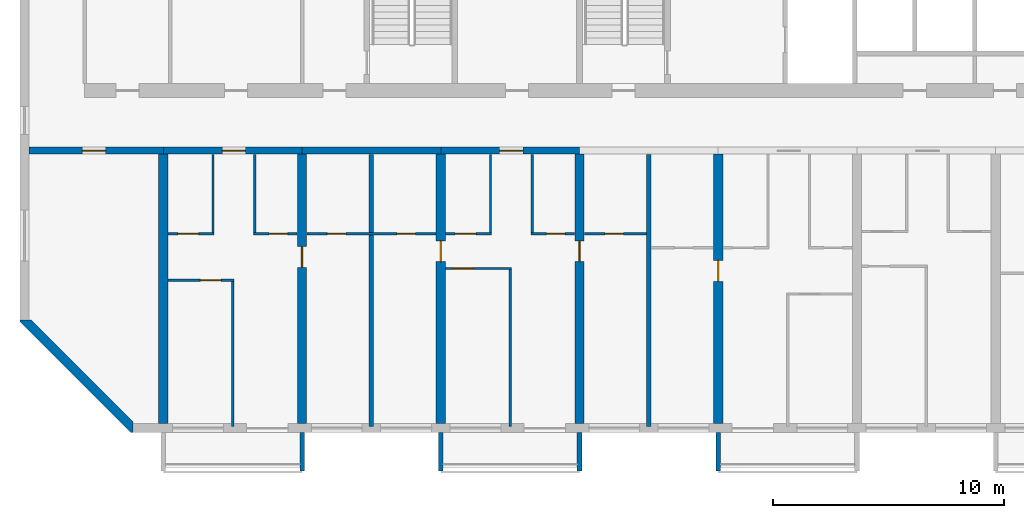
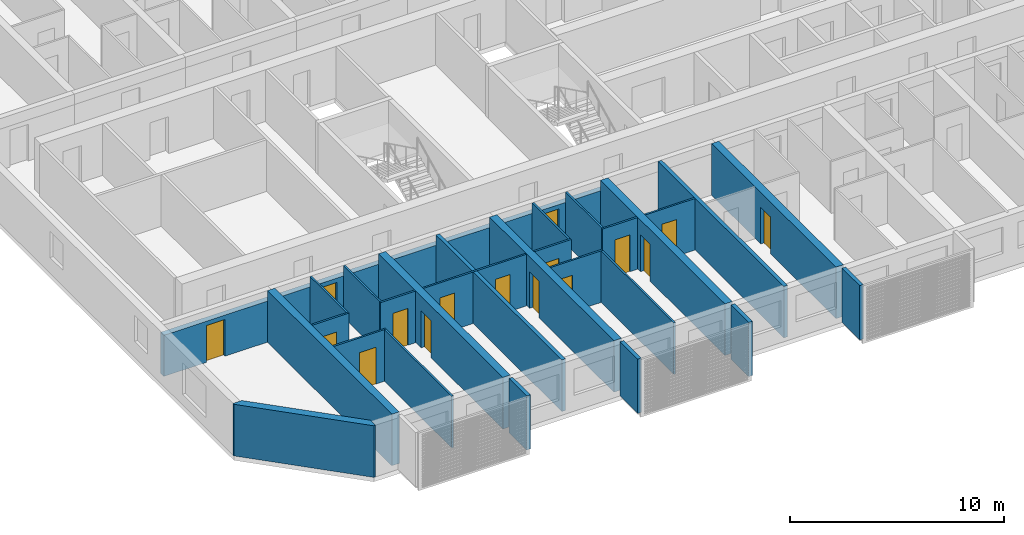
# One storey, part 2 of 39: 30 walls, 16 doors, 16 openings.
"""IFC4 building model written with IfcOpenShell, lengths in metres."""

from ifc_helpers import new_model, si_unit, direction, frame, frame_2d, origin, place, context, subcontext, project, spatial, polyline, rectangle, outline, extrude, source, transform, mapped, material, layer, layer_set, type_object, element, fill, save


model = new_model("IFC4")

# Units and contexts
model_context = context("Model", 3, precision=1e-05, world=origin(), true_north=direction((0.0, 1.0)))
body_context = subcontext(model_context, "Body", "Model", "MODEL_VIEW")
ifc_project = project(units=[si_unit("LENGTHUNIT", "METRE"), si_unit("AREAUNIT", "SQUARE_METRE"), si_unit("VOLUMEUNIT", "CUBIC_METRE"), si_unit("PLANEANGLEUNIT", "RADIAN"), si_unit("MASSUNIT", "GRAM", prefix="KILO")], contexts=[model_context])

# Site, building, storey
site_placement = place(None, origin())
site = spatial("IfcSite", under=ifc_project, at=site_placement, CompositionType="ELEMENT")
building_placement = place(site_placement, origin())
building = spatial("IfcBuilding", under=site, at=building_placement, Name="Poui Terraces", CompositionType="ELEMENT")
storey_placement = place(building_placement, frame((0.0, 0.0, 63.0)))
storey = spatial("IfcBuildingStorey", under=building, at=storey_placement, Name="L17", CompositionType="ELEMENT", Elevation=63.0)

# Wall, opening, door
ifc_material_1 = material(Name="Concrete 80 MPa", Category="concrete")
ifc_layer_1 = layer(ifc_material_1, 0.300048828125)
ifc_layer_set_1 = layer_set([ifc_layer_1], Name="Concrete 80 MPa")
wall_type_1 = type_object("IfcWallType", Name="CORRIDOR WALL 300 80MPa", PredefinedType="SHEAR", material=ifc_layer_set_1)
wall_1_placement = place(storey_placement, frame((6.199951171875, 12.0, 0.0), z_axis=(0.0, 0.0, 1.0), x_axis=(1.0, 0.0, 0.0)))
wall_1 = element("IfcWall", 1, at=wall_1_placement, inside=storey, type_object=wall_type_1, Name="CORRIDOR WALL LINE B BAY 1", PredefinedType="SHEAR", context=body_context, shape_type="SweptSolid", body=[
    extrude(rectangle(XDim=5.800048828125, YDim=0.300048828125, at=frame_2d((2.89990234375, 0.0))), origin(), (0.0, 0.0, 1.0), 2.35009765625),
])
opening_1_placement = place(wall_1_placement, frame((2.300048828125, 0.0, 0.0)))
opening_1 = element("IfcOpeningElement", 2, at=opening_1_placement, cuts=wall_1, Name="Opening D100", PredefinedType="OPENING", context=body_context, shape_type="SweptSolid", body=[
    extrude(rectangle(XDim=1.0, YDim=2.10009765625, at=frame_2d((0.5, 1.050048828125))), frame((0.0, 0.16015625, 0.0), z_axis=(0.0, -1.0, 0.0), x_axis=(1.0, 0.0, 0.0)), (0.0, 0.0, 1.0), 0.320068359375),
])
ifc_material_2 = material(Name="Solid core timber door", Category="wood")
door_type_1 = type_object("IfcDoorType", Name="ACCESSIBLE INTERNAL DOOR 1000 X 2100", OperationType="NOTDEFINED", PredefinedType="DOOR", material=ifc_material_2)
door_1_placement = place(opening_1_placement, frame((1.0, 0.0, 0.0), z_axis=(0.0, 0.0, 1.0), x_axis=(-1.0, 0.0, 0.0)))
door_1 = element("IfcDoor", 3, at=door_1_placement, inside=storey, type_object=door_type_1, Name="ACCESSIBLE INTERNAL DOOR 084", OperationType="SINGLE_SWING_RIGHT", OverallHeight=2.10009765625, OverallWidth=1.0, PredefinedType="DOOR", context=body_context, shape_type="SweptSolid", body=[
    extrude(rectangle(XDim=1.0, YDim=2.10009765625, at=frame_2d((0.5, 1.050048828125))), frame((0.0, 0.02490234375, 0.0), z_axis=(0.0, -1.0, 0.0), x_axis=(1.0, 0.0, 0.0)), (0.0, 0.0, 1.0), 0.050048828125),
])
fill(opening_1, door_1)

wall_2_placement = place(storey_placement, frame((12.0, 12.0, 0.0), z_axis=(0.0, 0.0, 1.0), x_axis=(1.0, 0.0, 0.0)))
wall_2 = element("IfcWall", 4, at=wall_2_placement, inside=storey, type_object=wall_type_1, Name="CORRIDOR WALL LINE B BAY 2", PredefinedType="SHEAR", context=body_context, shape_type="SweptSolid", body=[
    extrude(rectangle(XDim=6.0, YDim=0.300048828125, at=frame_2d((3.0, 0.0))), origin(), (0.0, 0.0, 1.0), 2.35009765625),
])
opening_2_placement = place(wall_2_placement, frame((2.550048828125, 0.0, 0.0)))
opening_2 = element("IfcOpeningElement", 5, at=opening_2_placement, cuts=wall_2, Name="Opening FD30S", PredefinedType="OPENING", context=body_context, shape_type="SweptSolid", body=[
    extrude(rectangle(XDim=1.0, YDim=2.10009765625, at=frame_2d((0.5, 1.050048828125))), frame((0.0, 0.16015625, 0.0), z_axis=(0.0, -1.0, 0.0), x_axis=(1.0, 0.0, 0.0)), (0.0, 0.0, 1.0), 0.320068359375),
])
ifc_material_3 = material(Name="Steel fire door", Category="steel")
door_type_2 = type_object("IfcDoorType", Name="FLAT ENTRANCE DOOR 1000 X 2100", OperationType="NOTDEFINED", PredefinedType="DOOR", material=ifc_material_3)
door_2_placement = place(opening_2_placement, frame((1.0, 0.0, 0.0), z_axis=(0.0, 0.0, 1.0), x_axis=(-1.0, 0.0, 0.0)))
door_2 = element("IfcDoor", 6, at=door_2_placement, inside=storey, type_object=door_type_2, Name="FLAT ENTRANCE DOOR 088", OperationType="SINGLE_SWING_LEFT", OverallHeight=2.10009765625, OverallWidth=1.0, PredefinedType="DOOR", context=body_context, shape_type="SweptSolid", body=[
    extrude(rectangle(XDim=1.0, YDim=2.10009765625, at=frame_2d((0.5, 1.050048828125))), frame((0.0, 0.02490234375, 0.0), z_axis=(0.0, -1.0, 0.0), x_axis=(1.0, 0.0, 0.0)), (0.0, 0.0, 1.0), 0.050048828125),
])
fill(opening_2, door_2)

# Wall
wall_3_placement = place(storey_placement, frame((18.0, 12.0, 0.0), z_axis=(0.0, 0.0, 1.0), x_axis=(1.0, 0.0, 0.0)))
element("IfcWall", 7, at=wall_3_placement, inside=storey, type_object=wall_type_1, Name="CORRIDOR WALL LINE B BAY 3", PredefinedType="SHEAR", context=body_context, shape_type="SweptSolid", body=[
    extrude(rectangle(XDim=6.0, YDim=0.300048828125, at=frame_2d((3.0, 0.0))), origin(), (0.0, 0.0, 1.0), 2.35009765625),
])

# Wall, opening, door
wall_4_placement = place(storey_placement, frame((24.0, 12.0, 0.0), z_axis=(0.0, 0.0, 1.0), x_axis=(1.0, 0.0, 0.0)))
wall_4 = element("IfcWall", 8, at=wall_4_placement, inside=storey, type_object=wall_type_1, Name="CORRIDOR WALL LINE B BAY 4", PredefinedType="SHEAR", context=body_context, shape_type="SweptSolid", body=[
    extrude(rectangle(XDim=6.0, YDim=0.300048828125, at=frame_2d((3.0, 0.0))), origin(), (0.0, 0.0, 1.0), 2.35009765625),
])
opening_3_placement = place(wall_4_placement, frame((2.550048828125, 0.0, 0.0)))
opening_3 = element("IfcOpeningElement", 9, at=opening_3_placement, cuts=wall_4, Name="Opening FD30S", PredefinedType="OPENING", context=body_context, shape_type="SweptSolid", body=[
    extrude(rectangle(XDim=1.0, YDim=2.10009765625, at=frame_2d((0.5, 1.050048828125))), frame((0.0, 0.16015625, 0.0), z_axis=(0.0, -1.0, 0.0), x_axis=(1.0, 0.0, 0.0)), (0.0, 0.0, 1.0), 0.320068359375),
])
door_3_placement = place(opening_3_placement, frame((1.0, 0.0, 0.0), z_axis=(0.0, 0.0, 1.0), x_axis=(-1.0, 0.0, 0.0)))
door_3 = element("IfcDoor", 10, at=door_3_placement, inside=storey, type_object=door_type_2, Name="FLAT ENTRANCE DOOR 096", OperationType="SINGLE_SWING_LEFT", OverallHeight=2.10009765625, OverallWidth=1.0, PredefinedType="DOOR", context=body_context, shape_type="SweptSolid", body=[
    extrude(rectangle(XDim=1.0, YDim=2.10009765625, at=frame_2d((0.5, 1.050048828125))), frame((0.0, 0.02490234375, 0.0), z_axis=(0.0, -1.0, 0.0), x_axis=(1.0, 0.0, 0.0)), (0.0, 0.0, 1.0), 0.050048828125),
])
fill(opening_3, door_3)

# Wall
ifc_layer_2 = layer(ifc_material_1, 0.39990234375)
ifc_layer_set_2 = layer_set([ifc_layer_2], Name="Concrete 80 MPa")
wall_type_2 = type_object("IfcWallType", Name="CROSS WALL 400 80MPa", PredefinedType="SHEAR", material=ifc_layer_set_2)
wall_5_placement = place(storey_placement, frame((12.0, 0.199951171875, 0.0), z_axis=(0.0, 0.0, 1.0), x_axis=(0.0, 1.0, 0.0)))
element("IfcWall", 11, at=wall_5_placement, inside=storey, type_object=wall_type_2, Name="CROSS WALL LINE 3 SOUTH", PredefinedType="SHEAR", context=body_context, shape_type="SweptSolid", body=[
    extrude(rectangle(XDim=11.650146484375, YDim=0.39990234375, at=frame_2d((5.8251953125, 0.0))), origin(), (0.0, 0.0, 1.0), 2.949951171875),
])

# Wall, opening, door
wall_6_placement = place(storey_placement, frame((18.0, 0.199951171875, 0.0), z_axis=(0.0, 0.0, 1.0), x_axis=(0.0, 1.0, 0.0)))
wall_6 = element("IfcWall", 12, at=wall_6_placement, inside=storey, type_object=wall_type_2, Name="CROSS WALL LINE 4 SOUTH", PredefinedType="SHEAR", context=body_context, shape_type="SweptSolid", body=[
    extrude(rectangle(XDim=11.650146484375, YDim=0.39990234375, at=frame_2d((5.8251953125, 0.0))), origin(), (0.0, 0.0, 1.0), 2.949951171875),
])
opening_4_placement = place(wall_6_placement, frame((6.75, 0.0, 0.0)))
opening_4 = element("IfcOpeningElement", 13, at=opening_4_placement, cuts=wall_6, Name="Opening D90", PredefinedType="OPENING", context=body_context, shape_type="SweptSolid", body=[
    extrude(rectangle(XDim=0.89990234375, YDim=2.10009765625, at=frame_2d((0.449951171875, 1.050048828125))), frame((0.0, 0.2099609375, 0.0), z_axis=(0.0, -1.0, 0.0), x_axis=(1.0, 0.0, 0.0)), (0.0, 0.0, 1.0), 0.419921875),
])
door_type_3 = type_object("IfcDoorType", Name="INTERNAL DOOR 900 X 2100", OperationType="NOTDEFINED", PredefinedType="DOOR", material=ifc_material_2)
door_4_placement = place(opening_4_placement, frame((0.89990234375, 0.0, 0.0), z_axis=(0.0, 0.0, 1.0), x_axis=(-1.0, 0.0, 0.0)))
door_4 = element("IfcDoor", 14, at=door_4_placement, inside=storey, type_object=door_type_3, Name="INTERNAL DOOR 090", OperationType="SINGLE_SWING_LEFT", OverallHeight=2.10009765625, OverallWidth=0.89990234375, PredefinedType="DOOR", context=body_context, shape_type="SweptSolid", body=[
    extrude(rectangle(XDim=0.89990234375, YDim=2.10009765625, at=frame_2d((0.449951171875, 1.050048828125))), frame((0.0, 0.02490234375, 0.0), z_axis=(0.0, -1.0, 0.0), x_axis=(1.0, 0.0, 0.0)), (0.0, 0.0, 1.0), 0.050048828125),
])
fill(opening_4, door_4)

wall_7_placement = place(storey_placement, frame((24.0, 0.199951171875, 0.0), z_axis=(0.0, 0.0, 1.0), x_axis=(0.0, 1.0, 0.0)))
wall_7 = element("IfcWall", 15, at=wall_7_placement, inside=storey, type_object=wall_type_2, Name="CROSS WALL LINE 5 SOUTH", PredefinedType="SHEAR", context=body_context, shape_type="SweptSolid", body=[
    extrude(rectangle(XDim=11.650146484375, YDim=0.39990234375, at=frame_2d((5.8251953125, 0.0))), origin(), (0.0, 0.0, 1.0), 2.949951171875),
])
opening_5_placement = place(wall_7_placement, frame((7.0, 0.0, 0.0)))
opening_5 = element("IfcOpeningElement", 16, at=opening_5_placement, cuts=wall_7, Name="Opening D90", PredefinedType="OPENING", context=body_context, shape_type="SweptSolid", body=[
    extrude(rectangle(XDim=0.89990234375, YDim=2.10009765625, at=frame_2d((0.449951171875, 1.050048828125))), frame((0.0, 0.2099609375, 0.0), z_axis=(0.0, -1.0, 0.0), x_axis=(1.0, 0.0, 0.0)), (0.0, 0.0, 1.0), 0.419921875),
])
door_5_placement = place(opening_5_placement, origin())
door_5 = element("IfcDoor", 17, at=door_5_placement, inside=storey, type_object=door_type_3, Name="INTERNAL DOOR 093", OperationType="SINGLE_SWING_RIGHT", OverallHeight=2.10009765625, OverallWidth=0.89990234375, PredefinedType="DOOR", context=body_context, shape_type="SweptSolid", body=[
    extrude(rectangle(XDim=0.89990234375, YDim=2.10009765625, at=frame_2d((0.449951171875, 1.050048828125))), frame((0.0, 0.02490234375, 0.0), z_axis=(0.0, -1.0, 0.0), x_axis=(1.0, 0.0, 0.0)), (0.0, 0.0, 1.0), 0.050048828125),
])
fill(opening_5, door_5)

wall_8_placement = place(storey_placement, frame((30.0, 0.199951171875, 0.0), z_axis=(0.0, 0.0, 1.0), x_axis=(0.0, 1.0, 0.0)))
wall_8 = element("IfcWall", 18, at=wall_8_placement, inside=storey, type_object=wall_type_2, Name="CROSS WALL LINE 6 SOUTH", PredefinedType="SHEAR", context=body_context, shape_type="SweptSolid", body=[
    extrude(rectangle(XDim=11.650146484375, YDim=0.39990234375, at=frame_2d((5.8251953125, 0.0))), origin(), (0.0, 0.0, 1.0), 2.949951171875),
])
opening_6_placement = place(wall_8_placement, frame((7.0, 0.0, 0.0)))
opening_6 = element("IfcOpeningElement", 19, at=opening_6_placement, cuts=wall_8, Name="Opening D90", PredefinedType="OPENING", context=body_context, shape_type="SweptSolid", body=[
    extrude(rectangle(XDim=0.89990234375, YDim=2.10009765625, at=frame_2d((0.449951171875, 1.050048828125))), frame((0.0, 0.2099609375, 0.0), z_axis=(0.0, -1.0, 0.0), x_axis=(1.0, 0.0, 0.0)), (0.0, 0.0, 1.0), 0.419921875),
])
door_6_placement = place(opening_6_placement, frame((0.89990234375, 0.0, 0.0), z_axis=(0.0, 0.0, 1.0), x_axis=(-1.0, 0.0, 0.0)))
door_6 = element("IfcDoor", 20, at=door_6_placement, inside=storey, type_object=door_type_3, Name="INTERNAL DOOR 098", OperationType="SINGLE_SWING_LEFT", OverallHeight=2.10009765625, OverallWidth=0.89990234375, PredefinedType="DOOR", context=body_context, shape_type="SweptSolid", body=[
    extrude(rectangle(XDim=0.89990234375, YDim=2.10009765625, at=frame_2d((0.449951171875, 1.050048828125))), frame((0.0, 0.02490234375, 0.0), z_axis=(0.0, -1.0, 0.0), x_axis=(1.0, 0.0, 0.0)), (0.0, 0.0, 1.0), 0.050048828125),
])
fill(opening_6, door_6)

wall_9_placement = place(storey_placement, frame((36.0, 0.199951171875, 0.0), z_axis=(0.0, 0.0, 1.0), x_axis=(0.0, 1.0, 0.0)))
wall_9 = element("IfcWall", 21, at=wall_9_placement, inside=storey, type_object=wall_type_2, Name="CROSS WALL LINE 7 SOUTH", PredefinedType="SHEAR", context=body_context, shape_type="SweptSolid", body=[
    extrude(rectangle(XDim=11.650146484375, YDim=0.39990234375, at=frame_2d((5.8251953125, 0.0))), origin(), (0.0, 0.0, 1.0), 2.949951171875),
])
opening_7_placement = place(wall_9_placement, frame((6.14990234375, 0.0, 0.0)))
opening_7 = element("IfcOpeningElement", 22, at=opening_7_placement, cuts=wall_9, Name="Opening D90", PredefinedType="OPENING", context=body_context, shape_type="SweptSolid", body=[
    extrude(rectangle(XDim=0.89990234375, YDim=2.10009765625, at=frame_2d((0.449951171875, 1.050048828125))), frame((0.0, 0.2099609375, 0.0), z_axis=(0.0, -1.0, 0.0), x_axis=(1.0, 0.0, 0.0)), (0.0, 0.0, 1.0), 0.419921875),
])
door_7_placement = place(opening_7_placement, origin())
door_7 = element("IfcDoor", 23, at=door_7_placement, inside=storey, type_object=door_type_3, Name="INTERNAL DOOR 100", OperationType="SINGLE_SWING_RIGHT", OverallHeight=2.10009765625, OverallWidth=0.89990234375, PredefinedType="DOOR", context=body_context, shape_type="SweptSolid", body=[
    extrude(rectangle(XDim=0.89990234375, YDim=2.10009765625, at=frame_2d((0.449951171875, 1.050048828125))), frame((0.0, 0.02490234375, 0.0), z_axis=(0.0, -1.0, 0.0), x_axis=(1.0, 0.0, 0.0)), (0.0, 0.0, 1.0), 0.050048828125),
])
fill(opening_7, door_7)

ifc_material_4 = material(Name="Plasterboard partition")
ifc_layer_3 = layer(ifc_material_4, 0.10009765625)
ifc_layer_set_3 = layer_set([ifc_layer_3], Name="Plasterboard partition")
wall_type_3 = type_object("IfcWallType", Name="FLAT PARTITION 100", PredefinedType="PARTITIONING", material=ifc_layer_set_3)
wall_10_placement = place(storey_placement, frame((12.2099609375, 6.39990234375, 0.0), z_axis=(0.0, 0.0, 1.0), x_axis=(1.0, 0.0, 0.0)))
wall_10 = element("IfcWall", 24, at=wall_10_placement, inside=storey, type_object=wall_type_3, Name="FLAT PARTITION 100", PredefinedType="PARTITIONING", context=body_context, shape_type="SweptSolid", body=[
    extrude(rectangle(XDim=2.840087890625, YDim=0.10009765625, at=frame_2d((1.419921875, 0.0))), origin(), (0.0, 0.0, 1.0), 2.949951171875),
])
opening_8_placement = place(wall_10_placement, frame((1.389892578125, 0.0, 0.0)))
opening_8 = element("IfcOpeningElement", 25, at=opening_8_placement, cuts=wall_10, Name="Opening D90", PredefinedType="OPENING", context=body_context, shape_type="SweptSolid", body=[
    extrude(rectangle(XDim=0.89990234375, YDim=2.10009765625, at=frame_2d((0.449951171875, 1.050048828125))), frame((0.0, 0.06005859375, 0.0), z_axis=(0.0, -1.0, 0.0), x_axis=(1.0, 0.0, 0.0)), (0.0, 0.0, 1.0), 0.1201171875),
])
door_8_placement = place(opening_8_placement, origin())
door_8 = element("IfcDoor", 26, at=door_8_placement, inside=storey, type_object=door_type_3, Name="INTERNAL DOOR 087", OperationType="SINGLE_SWING_LEFT", OverallHeight=2.10009765625, OverallWidth=0.89990234375, PredefinedType="DOOR", context=body_context, shape_type="SweptSolid", body=[
    extrude(rectangle(XDim=0.89990234375, YDim=2.10009765625, at=frame_2d((0.449951171875, 1.050048828125))), frame((0.0, 0.02490234375, 0.0), z_axis=(0.0, -1.0, 0.0), x_axis=(1.0, 0.0, 0.0)), (0.0, 0.0, 1.0), 0.050048828125),
])
fill(opening_8, door_8)

wall_11_placement = place(storey_placement, frame((24.2099609375, 6.89990234375, 0.0), z_axis=(0.0, 0.0, 1.0), x_axis=(1.0, 0.0, 0.0)))
wall_11 = element("IfcWall", 27, at=wall_11_placement, inside=storey, type_object=wall_type_3, Name="FLAT PARTITION 100", PredefinedType="PARTITIONING", context=body_context, shape_type="SweptSolid", body=[
    extrude(rectangle(XDim=2.840087890625, YDim=0.10009765625, at=frame_2d((1.419921875, 0.0))), origin(), (0.0, 0.0, 1.0), 2.949951171875),
])
opening_9_placement = place(wall_11_placement, frame((0.2900390625, 0.0, 0.0)))
opening_9 = element("IfcOpeningElement", 28, at=opening_9_placement, cuts=wall_11, Name="Opening D90", PredefinedType="OPENING", context=body_context, shape_type="SweptSolid", body=[
    extrude(rectangle(XDim=0.89990234375, YDim=2.10009765625, at=frame_2d((0.449951171875, 1.050048828125))), frame((0.0, 0.06005859375, 0.0), z_axis=(0.0, -1.0, 0.0), x_axis=(1.0, 0.0, 0.0)), (0.0, 0.0, 1.0), 0.1201171875),
])
door_9_placement = place(opening_9_placement, origin())
door_9 = element("IfcDoor", 29, at=door_9_placement, inside=storey, type_object=door_type_3, Name="INTERNAL DOOR 094", OperationType="SINGLE_SWING_RIGHT", OverallHeight=2.10009765625, OverallWidth=0.89990234375, PredefinedType="DOOR", context=body_context, shape_type="SweptSolid", body=[
    extrude(rectangle(XDim=0.89990234375, YDim=2.10009765625, at=frame_2d((0.449951171875, 1.050048828125))), frame((0.0, 0.02490234375, 0.0), z_axis=(0.0, -1.0, 0.0), x_axis=(1.0, 0.0, 0.0)), (0.0, 0.0, 1.0), 0.050048828125),
])
fill(opening_9, door_9)

wall_12_placement = place(storey_placement, frame((12.2099609375, 8.39990234375, 0.0), z_axis=(0.0, 0.0, 1.0), x_axis=(1.0, 0.0, 0.0)))
wall_12 = element("IfcWall", 30, at=wall_12_placement, inside=storey, type_object=wall_type_3, Name="FLAT PARTITION 100", PredefinedType="PARTITIONING", context=body_context, shape_type="SweptSolid", body=[
    extrude(rectangle(XDim=1.989990234375, YDim=0.10009765625, at=frame_2d((0.9951171875, 0.0))), origin(), (0.0, 0.0, 1.0), 2.949951171875),
])
opening_10_placement = place(wall_12_placement, frame((0.4150390625, 0.0, 0.0)))
opening_10 = element("IfcOpeningElement", 31, at=opening_10_placement, cuts=wall_12, Name="Opening D90", PredefinedType="OPENING", context=body_context, shape_type="SweptSolid", body=[
    extrude(rectangle(XDim=0.89990234375, YDim=2.10009765625, at=frame_2d((0.449951171875, 1.050048828125))), frame((0.0, 0.06005859375, 0.0), z_axis=(0.0, -1.0, 0.0), x_axis=(1.0, 0.0, 0.0)), (0.0, 0.0, 1.0), 0.1201171875),
])
door_10_placement = place(opening_10_placement, origin())
door_10 = element("IfcDoor", 32, at=door_10_placement, inside=storey, type_object=door_type_3, Name="INTERNAL DOOR 086", OperationType="SINGLE_SWING_RIGHT", OverallHeight=2.10009765625, OverallWidth=0.89990234375, PredefinedType="DOOR", context=body_context, shape_type="SweptSolid", body=[
    extrude(rectangle(XDim=0.89990234375, YDim=2.10009765625, at=frame_2d((0.449951171875, 1.050048828125))), frame((0.0, 0.02490234375, 0.0), z_axis=(0.0, -1.0, 0.0), x_axis=(1.0, 0.0, 0.0)), (0.0, 0.0, 1.0), 0.050048828125),
])
fill(opening_10, door_10)

wall_13_placement = place(storey_placement, frame((15.89990234375, 8.39990234375, 0.0), z_axis=(0.0, 0.0, 1.0), x_axis=(1.0, 0.0, 0.0)))
wall_13 = element("IfcWall", 33, at=wall_13_placement, inside=storey, type_object=wall_type_3, Name="FLAT PARTITION 100", PredefinedType="PARTITIONING", context=body_context, shape_type="SweptSolid", body=[
    extrude(rectangle(XDim=1.89013671875, YDim=0.10009765625, at=frame_2d((0.945068359375, 0.0))), origin(), (0.0, 0.0, 1.0), 2.949951171875),
])
opening_11_placement = place(wall_13_placement, frame((0.675048828125, 0.0, 0.0)))
opening_11 = element("IfcOpeningElement", 34, at=opening_11_placement, cuts=wall_13, Name="Opening D80", PredefinedType="OPENING", context=body_context, shape_type="SweptSolid", body=[
    extrude(rectangle(XDim=0.800048828125, YDim=2.10009765625, at=frame_2d((0.39990234375, 1.050048828125))), frame((0.0, 0.06005859375, 0.0), z_axis=(0.0, -1.0, 0.0), x_axis=(1.0, 0.0, 0.0)), (0.0, 0.0, 1.0), 0.1201171875),
])
door_type_4 = type_object("IfcDoorType", Name="BATHROOM, LAUNDRY AND STORE DOOR 800 X 2100", OperationType="NOTDEFINED", PredefinedType="DOOR", material=ifc_material_2)
door_11_placement = place(opening_11_placement, origin())
door_11 = element("IfcDoor", 35, at=door_11_placement, inside=storey, type_object=door_type_4, Name="BATHROOM, LAUNDRY AND STORE DOOR 089", OperationType="SINGLE_SWING_LEFT", OverallHeight=2.10009765625, OverallWidth=0.800048828125, PredefinedType="DOOR", context=body_context, shape_type="SweptSolid", body=[
    extrude(rectangle(XDim=0.800048828125, YDim=2.10009765625, at=frame_2d((0.39990234375, 1.050048828125))), frame((0.0, 0.02490234375, 0.0), z_axis=(0.0, -1.0, 0.0), x_axis=(1.0, 0.0, 0.0)), (0.0, 0.0, 1.0), 0.050048828125),
])
fill(opening_11, door_11)

# Wall, openings, doors
wall_14_placement = place(storey_placement, frame((18.2099609375, 8.39990234375, 0.0), z_axis=(0.0, 0.0, 1.0), x_axis=(1.0, 0.0, 0.0)))
wall_14 = element("IfcWall", 36, at=wall_14_placement, inside=storey, type_object=wall_type_3, Name="FLAT PARTITION 100", PredefinedType="PARTITIONING", context=body_context, shape_type="SweptSolid", body=[
    extrude(rectangle(XDim=5.580078125, YDim=0.10009765625, at=frame_2d((2.7900390625, 0.0))), origin(), (0.0, 0.0, 1.0), 2.949951171875),
])
opening_12_placement = place(wall_14_placement, frame((0.889892578125, 0.0, 0.0)))
opening_12 = element("IfcOpeningElement", 37, at=opening_12_placement, cuts=wall_14, Name="Opening D80", PredefinedType="OPENING", context=body_context, shape_type="SweptSolid", body=[
    extrude(rectangle(XDim=0.800048828125, YDim=2.10009765625, at=frame_2d((0.39990234375, 1.050048828125))), frame((0.0, 0.06005859375, 0.0), z_axis=(0.0, -1.0, 0.0), x_axis=(1.0, 0.0, 0.0)), (0.0, 0.0, 1.0), 0.1201171875),
])
opening_13_placement = place(wall_14_placement, frame((3.889892578125, 0.0, 0.0)))
opening_13 = element("IfcOpeningElement", 38, at=opening_13_placement, cuts=wall_14, Name="Opening D80", PredefinedType="OPENING", context=body_context, shape_type="SweptSolid", body=[
    extrude(rectangle(XDim=0.800048828125, YDim=2.10009765625, at=frame_2d((0.39990234375, 1.050048828125))), frame((0.0, 0.06005859375, 0.0), z_axis=(0.0, -1.0, 0.0), x_axis=(1.0, 0.0, 0.0)), (0.0, 0.0, 1.0), 0.1201171875),
])
door_12_placement = place(opening_12_placement, origin())
door_12 = element("IfcDoor", 39, at=door_12_placement, inside=storey, type_object=door_type_4, Name="BATHROOM, LAUNDRY AND STORE DOOR 085", OperationType="SINGLE_SWING_RIGHT", OverallHeight=2.10009765625, OverallWidth=0.800048828125, PredefinedType="DOOR", context=body_context, shape_type="SweptSolid", body=[
    extrude(rectangle(XDim=0.800048828125, YDim=2.10009765625, at=frame_2d((0.39990234375, 1.050048828125))), frame((0.0, 0.02490234375, 0.0), z_axis=(0.0, -1.0, 0.0), x_axis=(1.0, 0.0, 0.0)), (0.0, 0.0, 1.0), 0.050048828125),
])
fill(opening_12, door_12)
door_13_placement = place(opening_13_placement, origin())
door_13 = element("IfcDoor", 40, at=door_13_placement, inside=storey, type_object=door_type_4, Name="BATHROOM, LAUNDRY AND STORE DOOR 091", OperationType="SINGLE_SWING_LEFT", OverallHeight=2.10009765625, OverallWidth=0.800048828125, PredefinedType="DOOR", context=body_context, shape_type="SweptSolid", body=[
    extrude(rectangle(XDim=0.800048828125, YDim=2.10009765625, at=frame_2d((0.39990234375, 1.050048828125))), frame((0.0, 0.02490234375, 0.0), z_axis=(0.0, -1.0, 0.0), x_axis=(1.0, 0.0, 0.0)), (0.0, 0.0, 1.0), 0.050048828125),
])
fill(opening_13, door_13)

# Wall, opening, door
wall_15_placement = place(storey_placement, frame((24.2099609375, 8.39990234375, 0.0), z_axis=(0.0, 0.0, 1.0), x_axis=(1.0, 0.0, 0.0)))
wall_15 = element("IfcWall", 41, at=wall_15_placement, inside=storey, type_object=wall_type_3, Name="FLAT PARTITION 100", PredefinedType="PARTITIONING", context=body_context, shape_type="SweptSolid", body=[
    extrude(rectangle(XDim=1.989990234375, YDim=0.10009765625, at=frame_2d((0.9951171875, 0.0))), origin(), (0.0, 0.0, 1.0), 2.949951171875),
])
opening_14_placement = place(wall_15_placement, frame((0.4150390625, 0.0, 0.0)))
opening_14 = element("IfcOpeningElement", 42, at=opening_14_placement, cuts=wall_15, Name="Opening D90", PredefinedType="OPENING", context=body_context, shape_type="SweptSolid", body=[
    extrude(rectangle(XDim=0.89990234375, YDim=2.10009765625, at=frame_2d((0.449951171875, 1.050048828125))), frame((0.0, 0.06005859375, 0.0), z_axis=(0.0, -1.0, 0.0), x_axis=(1.0, 0.0, 0.0)), (0.0, 0.0, 1.0), 0.1201171875),
])
door_14_placement = place(opening_14_placement, origin())
door_14 = element("IfcDoor", 43, at=door_14_placement, inside=storey, type_object=door_type_3, Name="INTERNAL DOOR 095", OperationType="SINGLE_SWING_LEFT", OverallHeight=2.10009765625, OverallWidth=0.89990234375, PredefinedType="DOOR", context=body_context, shape_type="SweptSolid", body=[
    extrude(rectangle(XDim=0.89990234375, YDim=2.10009765625, at=frame_2d((0.449951171875, 1.050048828125))), frame((0.0, 0.02490234375, 0.0), z_axis=(0.0, -1.0, 0.0), x_axis=(1.0, 0.0, 0.0)), (0.0, 0.0, 1.0), 0.050048828125),
])
fill(opening_14, door_14)

wall_16_placement = place(storey_placement, frame((27.89990234375, 8.39990234375, 0.0), z_axis=(0.0, 0.0, 1.0), x_axis=(1.0, 0.0, 0.0)))
wall_16 = element("IfcWall", 44, at=wall_16_placement, inside=storey, type_object=wall_type_3, Name="FLAT PARTITION 100", PredefinedType="PARTITIONING", context=body_context, shape_type="SweptSolid", body=[
    extrude(rectangle(XDim=1.89013671875, YDim=0.10009765625, at=frame_2d((0.945068359375, 0.0))), origin(), (0.0, 0.0, 1.0), 2.949951171875),
])
opening_15_placement = place(wall_16_placement, frame((0.675048828125, 0.0, 0.0)))
opening_15 = element("IfcOpeningElement", 45, at=opening_15_placement, cuts=wall_16, Name="Opening D80", PredefinedType="OPENING", context=body_context, shape_type="SweptSolid", body=[
    extrude(rectangle(XDim=0.800048828125, YDim=2.10009765625, at=frame_2d((0.39990234375, 1.050048828125))), frame((0.0, 0.06005859375, 0.0), z_axis=(0.0, -1.0, 0.0), x_axis=(1.0, 0.0, 0.0)), (0.0, 0.0, 1.0), 0.1201171875),
])
door_15_placement = place(opening_15_placement, origin())
door_15 = element("IfcDoor", 46, at=door_15_placement, inside=storey, type_object=door_type_4, Name="BATHROOM, LAUNDRY AND STORE DOOR 097", OperationType="SINGLE_SWING_RIGHT", OverallHeight=2.10009765625, OverallWidth=0.800048828125, PredefinedType="DOOR", context=body_context, shape_type="SweptSolid", body=[
    extrude(rectangle(XDim=0.800048828125, YDim=2.10009765625, at=frame_2d((0.39990234375, 1.050048828125))), frame((0.0, 0.02490234375, 0.0), z_axis=(0.0, -1.0, 0.0), x_axis=(1.0, 0.0, 0.0)), (0.0, 0.0, 1.0), 0.050048828125),
])
fill(opening_15, door_15)

wall_17_placement = place(storey_placement, frame((30.2099609375, 8.39990234375, 0.0), z_axis=(0.0, 0.0, 1.0), x_axis=(1.0, 0.0, 0.0)))
wall_17 = element("IfcWall", 47, at=wall_17_placement, inside=storey, type_object=wall_type_3, Name="FLAT PARTITION 100", PredefinedType="PARTITIONING", context=body_context, shape_type="SweptSolid", body=[
    extrude(rectangle(XDim=2.68994140625, YDim=0.10009765625, at=frame_2d((1.344970703125, 0.0))), origin(), (0.0, 0.0, 1.0), 2.949951171875),
])
opening_16_placement = place(wall_17_placement, frame((0.889892578125, 0.0, 0.0)))
opening_16 = element("IfcOpeningElement", 48, at=opening_16_placement, cuts=wall_17, Name="Opening D80", PredefinedType="OPENING", context=body_context, shape_type="SweptSolid", body=[
    extrude(rectangle(XDim=0.800048828125, YDim=2.10009765625, at=frame_2d((0.39990234375, 1.050048828125))), frame((0.0, 0.06005859375, 0.0), z_axis=(0.0, -1.0, 0.0), x_axis=(1.0, 0.0, 0.0)), (0.0, 0.0, 1.0), 0.1201171875),
])
door_16_placement = place(opening_16_placement, origin())
door_16 = element("IfcDoor", 49, at=door_16_placement, inside=storey, type_object=door_type_4, Name="BATHROOM, LAUNDRY AND STORE DOOR 092", OperationType="SINGLE_SWING_LEFT", OverallHeight=2.10009765625, OverallWidth=0.800048828125, PredefinedType="DOOR", context=body_context, shape_type="SweptSolid", body=[
    extrude(rectangle(XDim=0.800048828125, YDim=2.10009765625, at=frame_2d((0.39990234375, 1.050048828125))), frame((0.0, 0.02490234375, 0.0), z_axis=(0.0, -1.0, 0.0), x_axis=(1.0, 0.0, 0.0)), (0.0, 0.0, 1.0), 0.050048828125),
])
fill(opening_16, door_16)

# Walls
wall_18_placement = place(storey_placement, frame((14.14990234375, 8.449951171875, 0.0), z_axis=(0.0, 0.0, 1.0), x_axis=(0.0, 1.0, 0.0)))
element("IfcWall", 50, at=wall_18_placement, inside=storey, type_object=wall_type_3, Name="FLAT PARTITION 100", PredefinedType="PARTITIONING", context=body_context, shape_type="SweptSolid", body=[
    extrude(rectangle(XDim=3.39013671875, YDim=0.10009765625, at=frame_2d((1.695068359375, 0.0))), origin(), (0.0, 0.0, 1.0), 2.949951171875),
])
wall_19_placement = place(storey_placement, frame((15.0, 0.06005859375, 0.0), z_axis=(0.0, 0.0, 1.0), x_axis=(0.0, 1.0, 0.0)))
element("IfcWall", 51, at=wall_19_placement, inside=storey, type_object=wall_type_3, Name="FLAT PARTITION 100", PredefinedType="PARTITIONING", context=body_context, shape_type="SweptSolid", body=[
    extrude(rectangle(XDim=6.2900390625, YDim=0.10009765625, at=frame_2d((3.14501953125, 0.0))), origin(), (0.0, 0.0, 1.0), 2.949951171875),
])
for number, where, z_axis, x_axis, name in (
    (52, (15.949951171875, 8.449951171875, 0.0), (0.0, 0.0, 1.0), (0.0, 1.0, 0.0), "FLAT PARTITION 100"),
    (53, (26.14990234375, 8.449951171875, 0.0), (0.0, 0.0, 1.0), (0.0, 1.0, 0.0), "FLAT PARTITION 100"),
):
    element("IfcWall", number, at=place(storey_placement, frame(where, z_axis=z_axis, x_axis=x_axis)), inside=storey, type_object=wall_type_3, Name=name, PredefinedType="PARTITIONING", context=body_context, shape_type="SweptSolid", body=[
        extrude(rectangle(XDim=3.39013671875, YDim=0.10009765625, at=frame_2d((1.695068359375, 0.0))), origin(), (0.0, 0.0, 1.0), 2.949951171875),
    ])
wall_20_placement = place(storey_placement, frame((27.0, 0.06005859375, 0.0), z_axis=(0.0, 0.0, 1.0), x_axis=(0.0, 1.0, 0.0)))
element("IfcWall", 54, at=wall_20_placement, inside=storey, type_object=wall_type_3, Name="FLAT PARTITION 100", PredefinedType="PARTITIONING", context=body_context, shape_type="SweptSolid", body=[
    extrude(rectangle(XDim=6.7900390625, YDim=0.10009765625, at=frame_2d((3.39501953125, 0.0))), origin(), (0.0, 0.0, 1.0), 2.949951171875),
])
wall_21_placement = place(storey_placement, frame((27.949951171875, 8.449951171875, 0.0), z_axis=(0.0, 0.0, 1.0), x_axis=(0.0, 1.0, 0.0)))
element("IfcWall", 55, at=wall_21_placement, inside=storey, type_object=wall_type_3, Name="FLAT PARTITION 100", PredefinedType="PARTITIONING", context=body_context, shape_type="SweptSolid", body=[
    extrude(rectangle(XDim=3.39013671875, YDim=0.10009765625, at=frame_2d((1.695068359375, 0.0))), origin(), (0.0, 0.0, 1.0), 2.949951171875),
])
ifc_material_5 = material(Name="Fire-rated masonry wall", Category="masonry")
ifc_layer_4 = layer(ifc_material_5, 0.199951171875)
ifc_layer_set_4 = layer_set([ifc_layer_4], Name="Fire-rated masonry wall")
wall_type_4 = type_object("IfcWallType", Name="FLAT PARTY WALL 200", PredefinedType="PARTITIONING", material=ifc_layer_set_4)
for number, where, z_axis, x_axis, name in (
    (56, (21.0, 0.06005859375, 0.0), (0.0, 0.0, 1.0), (0.0, 1.0, 0.0), "FLAT PARTY WALL 200"),
    (57, (33.0, 0.06005859375, 0.0), (0.0, 0.0, 1.0), (0.0, 1.0, 0.0), "FLAT PARTY WALL 200"),
):
    element("IfcWall", number, at=place(storey_placement, frame(where, z_axis=z_axis, x_axis=x_axis)), inside=storey, type_object=wall_type_4, Name=name, PredefinedType="PARTITIONING", context=body_context, shape_type="SweptSolid", body=[
        extrude(rectangle(XDim=11.780029296875, YDim=0.199951171875, at=frame_2d((5.89013671875, 0.0))), origin(), (0.0, 0.0, 1.0), 2.949951171875),
    ])
ifc_material_6 = material(Name="Precast concrete 40 MPa", Category="concrete")
ifc_layer_5 = layer(ifc_material_6, 0.39990234375)
ifc_layer_set_5 = layer_set([ifc_layer_5], Name="Precast concrete 40 MPa")
wall_type_5 = type_object("IfcWallType", Name="TERRACOTTA CLAD CHAMFER WALL 400", PredefinedType="STANDARD", material=ifc_layer_set_5)
wall_22_placement = place(storey_placement, origin())
element("IfcWall", 58, at=wall_22_placement, inside=storey, type_object=wall_type_5, Name="CHAMFER WALL CH07", PredefinedType="STANDARD", context=body_context, shape_type="SweptSolid", body=[
    extrude(outline(polyline([(5.800048828125, 4.682861328125), (5.800048828125, 4.60009765625), (10.60009765625, -0.199951171875), (10.682861328125, -0.199951171875), (10.682861328125, 0.28271484375), (6.28271484375, 4.682861328125), (5.800048828125, 4.682861328125)])), origin(), (0.0, 0.0, 1.0), 2.949951171875),
])
ifc_layer_6 = layer(ifc_material_6, 0.199951171875)
ifc_layer_set_6 = layer_set([ifc_layer_6], Name="Precast concrete 40 MPa")
wall_type_6 = type_object("IfcWallType", Name="REAR FIN 200", PredefinedType="STANDARD", material=ifc_layer_set_6)
shared_shape = source(origin(), body_context, "Body", "SweptSolid", [
    extrude(outline(polyline([(0.0, 0.0), (0.2001953125, 0.0), (0.2001953125, 1.650146484375), (0.0, 1.650146484375), (0.0, 0.0)])), origin(), (0.0, 0.0, 1.0), 3.10009765625),
])
for number, where, name in (
    (59, (17.89990234375, -1.85009765625, 0.0), "REAR FIN"),
    (60, (23.89990234375, -1.85009765625, 0.0), "REAR FIN"),
    (61, (29.89990234375, -1.85009765625, 0.0), "REAR FIN"),
    (62, (35.89990234375, -1.85009765625, 0.0), "REAR FIN"),
):
    element("IfcWall", number, at=place(storey_placement, frame(where)), inside=storey, type_object=wall_type_6, Name=name, PredefinedType="STANDARD", context=body_context, shape_type="MappedRepresentation", body=[
        mapped(shared_shape, transform((0.0, 0.0, 0.0))),
    ])

save(model, "model.ifc")
